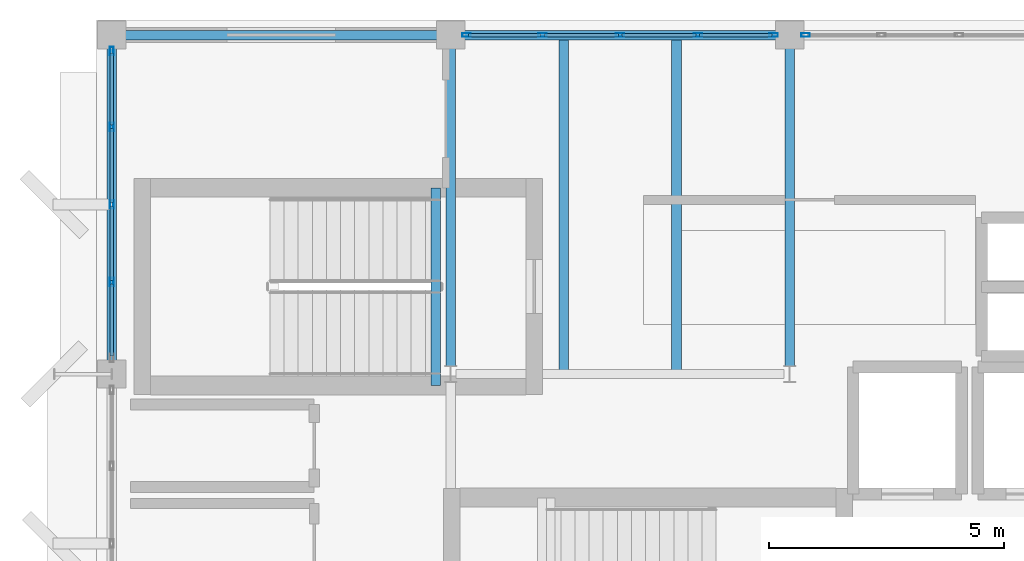
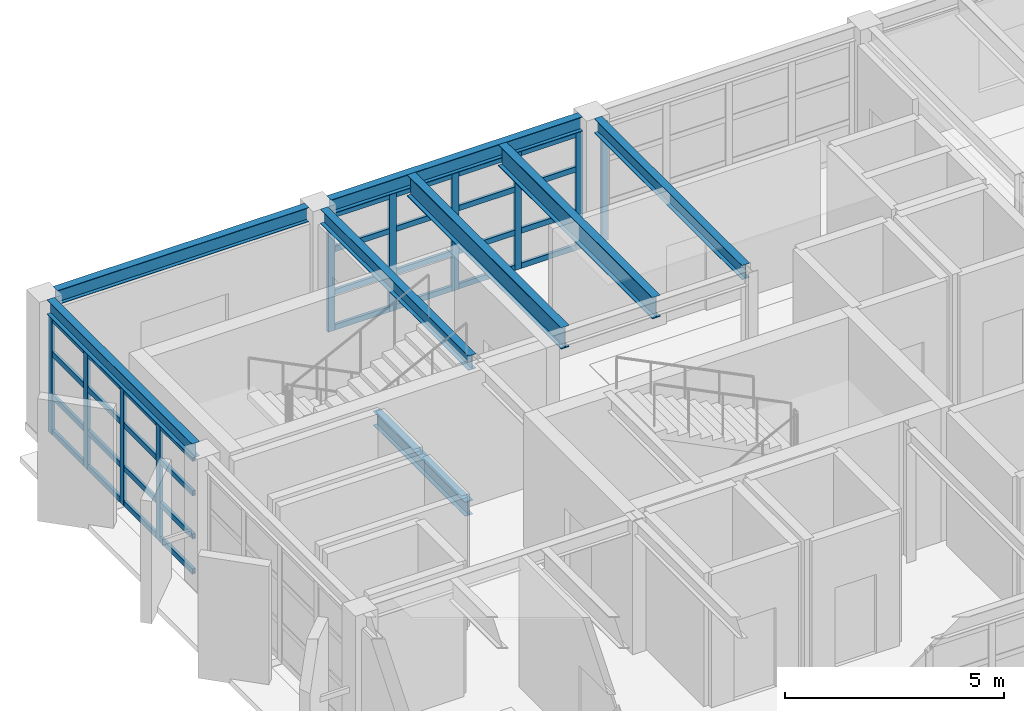
# One storey, part 7 of 15: 42 members, 8 beams, 3 elements without a shape of their own.
"""IFC4 building model written with IfcOpenShell, lengths in metres."""

from ifc_helpers import new_model, si_unit, direction, frame, origin, origin_2d, place, context, subcontext, project, spatial, hollow_rectangle, i_section, extrude, material, layer, layer_set, material_profile, profile_set, type_object, element, aggregate, save


model = new_model("IFC4")

# Units and contexts
model_context = context("Model", 3, precision=1e-05, world=origin(), true_north=direction((0.0, 1.0)))
body_context = subcontext(model_context, "Body", "Model", "MODEL_VIEW")
ifc_project = project(units=[si_unit("LENGTHUNIT", "METRE"), si_unit("AREAUNIT", "SQUARE_METRE"), si_unit("VOLUMEUNIT", "CUBIC_METRE"), si_unit("PLANEANGLEUNIT", "RADIAN"), si_unit("MASSUNIT", "GRAM", prefix="KILO")], contexts=[model_context])

# Site, building, storey
site_placement = place(None, origin())
site = spatial("IfcSite", under=ifc_project, at=site_placement, CompositionType="ELEMENT")
building_placement = place(site_placement, origin())
building = spatial("IfcBuilding", under=site, at=building_placement, Name="Kandorven Conservatory and Botanical Research Centre", CompositionType="ELEMENT")
storey_placement = place(building_placement, frame((0.0, 0.0, 52.199951171875)))
storey = spatial("IfcBuildingStorey", under=building, at=storey_placement, Name="L13", CompositionType="ELEMENT", Elevation=52.199951171875)

# Beams
ifc_material_1 = material(Name="Steel S355 (IS 2062 E350)", Category="steel")
ifc_material_profile_1 = material_profile(ifc_material_1, i_section(OverallWidth=0.199951171875, OverallDepth=0.39990234375, WebThickness=0.008544921875, FlangeThickness=0.012939453125, at=origin_2d()))
ifc_profile_set_1 = profile_set([ifc_material_profile_1], Name="Steel S355 (IS 2062 E350)")
beam_type_1 = type_object("IfcBeamType", Name="Beam_FG-03", PredefinedType="USERDEFINED", material=ifc_profile_set_1)
beam_1_placement = place(storey_placement, frame((6.2900390625, 27.60009765625, 3.505126953125), z_axis=(1.0, 0.0, 0.0), x_axis=(0.0, 1.0, 0.0)))
element("IfcBeam", 1, at=beam_1_placement, inside=storey, type_object=beam_type_1, Name="Primary girder FG-03 TWR L13", ObjectType="GIRDER", PredefinedType="USERDEFINED", context=body_context, shape_type="SweptSolid", body=[
    extrude(i_section(OverallWidth=0.199951171875, OverallDepth=0.39990234375, WebThickness=0.008544921875, FlangeThickness=0.012939453125, at=origin_2d()), origin(), (0.0, 0.0, 1.0), 6.619873046875),
])
for number, where, z_axis, x_axis, name in (
    (2, (13.489990234375, 27.60009765625, 3.505126953125), (1.0, 0.0, 0.0), (0.0, 1.0, 0.0), "Primary girder FG-03 TWR L13"),
    (3, (6.0, 20.68994140625, 3.505126953125), (0.0, 1.0, 0.0), (-1.0, 0.0, 0.0), "Primary girder FG-03 TWR L13"),
):
    element("IfcBeam", number, at=place(storey_placement, frame(where, z_axis=z_axis, x_axis=x_axis)), inside=storey, type_object=beam_type_1, Name=name, ObjectType="GIRDER", PredefinedType="USERDEFINED", context=body_context, shape_type="SweptSolid", body=[
        extrude(i_section(OverallWidth=0.199951171875, OverallDepth=0.39990234375, WebThickness=0.008544921875, FlangeThickness=0.012939453125, at=origin_2d()), origin(), (0.0, 0.0, 1.0), 6.6201171875),
    ])
for number, where, z_axis, x_axis, name in (
    (4, (13.199951171875, 20.56494140625, 3.505126953125), (0.0, 1.0, 0.0), (-1.0, 0.0, 0.0), "Primary girder FG-03 TWR L13"),
    (5, (20.39990234375, 20.56494140625, 3.505126953125), (0.0, 1.0, 0.0), (-1.0, 0.0, 0.0), "Primary girder FG-03 TWR L13"),
):
    element("IfcBeam", number, at=place(storey_placement, frame(where, z_axis=z_axis, x_axis=x_axis)), inside=storey, type_object=beam_type_1, Name=name, ObjectType="GIRDER", PredefinedType="USERDEFINED", context=body_context, shape_type="SweptSolid", body=[
        extrude(i_section(OverallWidth=0.199951171875, OverallDepth=0.39990234375, WebThickness=0.008544921875, FlangeThickness=0.012939453125, at=origin_2d()), origin(), (0.0, 0.0, 1.0), 6.7451171875),
    ])
beam_2_placement = place(storey_placement, frame((12.8798828125, 24.35009765625, -0.199951171875), z_axis=(0.0, -1.0, 0.0), x_axis=(1.0, 0.0, 0.0)))
element("IfcBeam", 6, at=beam_2_placement, inside=storey, type_object=beam_type_1, Name="Stair well bottom trimmer girder FG-03 ST-T2 L13", ObjectType="GIRDER", PredefinedType="USERDEFINED", context=body_context, shape_type="SweptSolid", body=[
    extrude(i_section(OverallWidth=0.199951171875, OverallDepth=0.39990234375, WebThickness=0.008544921875, FlangeThickness=0.012939453125, at=origin_2d()), origin(), (0.0, 0.0, 1.0), 4.190185546875),
])
ifc_material_2 = material(Name="Steel S355 (IS 2062 E350)", Category="steel")
ifc_material_profile_2 = material_profile(ifc_material_2, i_section(OverallWidth=0.2099609375, OverallDepth=0.60009765625, WebThickness=0.011962890625, FlangeThickness=0.020751953125, at=origin_2d()))
ifc_profile_set_2 = profile_set([ifc_material_profile_2], Name="Steel S355 (IS 2062 E350)")
beam_type_2 = type_object("IfcBeamType", Name="Beam_SB-01", PredefinedType="BEAM", material=ifc_profile_set_2)
for number, where, z_axis, x_axis, name in (
    (7, (15.60009765625, 20.485107421875, 3.405029296875), (0.0, 1.0, 0.0), (-1.0, 0.0, 0.0), "Composite secondary beam SB-01 TWR L13"),
    (8, (18.0, 20.485107421875, 3.405029296875), (0.0, 1.0, 0.0), (-1.0, 0.0, 0.0), "Composite secondary beam SB-01 TWR L13"),
):
    element("IfcBeam", number, at=place(storey_placement, frame(where, z_axis=z_axis, x_axis=x_axis)), inside=storey, type_object=beam_type_2, Name=name, PredefinedType="BEAM", context=body_context, shape_type="SweptSolid", body=[
        extrude(i_section(OverallWidth=0.2099609375, OverallDepth=0.60009765625, WebThickness=0.011962890625, FlangeThickness=0.020751953125, at=origin_2d()), origin(), (0.0, 0.0, 1.0), 7.02978515625),
    ])

# Curtain wall, members
ifc_material_3 = material(Name="Bronze anodised thermally broken aluminium", Category="aluminium")
ifc_layer = layer(ifc_material_3, 0.179931640625)
ifc_layer_set = layer_set([ifc_layer], Name="Bronze anodised thermally broken aluminium")
curtain_wall_type = type_object("IfcCurtainWallType", Name="CW_Unitised", PredefinedType="USERDEFINED", material=ifc_layer_set)
curtain_wall_1_placement = place(storey_placement, origin())
curtain_wall_1 = element("IfcCurtainWall", 9, at=curtain_wall_1_placement, inside=storey, type_object=curtain_wall_type, Name="Tower laboratory curtain wall CW-TWR-N-L13-2", ObjectType="UNITISED GLAZING", PredefinedType="USERDEFINED")
ifc_material_4 = material(Name="Bronze anodised thermally broken aluminium", Category="aluminium")
ifc_material_profile_3 = material_profile(ifc_material_4, hollow_rectangle(XDim=0.080078125, YDim=0.179931640625, WallThickness=0.006103515625, at=origin_2d()))
ifc_profile_set_3 = profile_set([ifc_material_profile_3], Name="Bronze anodised thermally broken aluminium")
member_type_1 = type_object("IfcMemberType", Name="CW_Mullion", PredefinedType="MULLION", material=ifc_profile_set_3)
member_1_placement = place(storey_placement, frame((13.5400390625, 27.60009765625, 0.0), z_axis=(0.0, 0.0, 1.0), x_axis=(0.0, 1.0, 0.0)))
member_1 = element("IfcMember", 10, at=member_1_placement, type_object=member_type_1, Name="CW-01 mullion 1", PredefinedType="MULLION", context=body_context, shape_type="SweptSolid", body=[
    extrude(hollow_rectangle(XDim=0.080078125, YDim=0.179931640625, WallThickness=0.006103515625, at=origin_2d()), origin(), (0.0, 0.0, 1.0), 3.28515625),
])
member_2_placement = place(storey_placement, frame((15.14990234375, 27.60009765625, 0.0), z_axis=(0.0, 0.0, 1.0), x_axis=(0.0, 1.0, 0.0)))
member_2 = element("IfcMember", 11, at=member_2_placement, type_object=member_type_1, Name="CW-01 mullion 2", PredefinedType="MULLION", context=body_context, shape_type="SweptSolid", body=[
    extrude(hollow_rectangle(XDim=0.080078125, YDim=0.179931640625, WallThickness=0.006103515625, at=origin_2d()), origin(), (0.0, 0.0, 1.0), 3.28515625),
])
member_3_placement = place(storey_placement, frame((16.800048828125, 27.60009765625, 0.0), z_axis=(0.0, 0.0, 1.0), x_axis=(0.0, 1.0, 0.0)))
member_3 = element("IfcMember", 12, at=member_3_placement, type_object=member_type_1, Name="CW-01 mullion 3", PredefinedType="MULLION", context=body_context, shape_type="SweptSolid", body=[
    extrude(hollow_rectangle(XDim=0.080078125, YDim=0.179931640625, WallThickness=0.006103515625, at=origin_2d()), origin(), (0.0, 0.0, 1.0), 3.28515625),
])
member_4_placement = place(storey_placement, frame((18.449951171875, 27.60009765625, 0.0), z_axis=(0.0, 0.0, 1.0), x_axis=(0.0, 1.0, 0.0)))
member_4 = element("IfcMember", 13, at=member_4_placement, type_object=member_type_1, Name="CW-01 mullion 4", PredefinedType="MULLION", context=body_context, shape_type="SweptSolid", body=[
    extrude(hollow_rectangle(XDim=0.080078125, YDim=0.179931640625, WallThickness=0.006103515625, at=origin_2d()), origin(), (0.0, 0.0, 1.0), 3.28515625),
])
member_5_placement = place(storey_placement, frame((20.06005859375, 27.60009765625, 0.0), z_axis=(0.0, 0.0, 1.0), x_axis=(0.0, 1.0, 0.0)))
member_5 = element("IfcMember", 14, at=member_5_placement, type_object=member_type_1, Name="CW-01 mullion 5", PredefinedType="MULLION", context=body_context, shape_type="SweptSolid", body=[
    extrude(hollow_rectangle(XDim=0.080078125, YDim=0.179931640625, WallThickness=0.006103515625, at=origin_2d()), origin(), (0.0, 0.0, 1.0), 3.28515625),
])

# Curtain wall, member
curtain_wall_2_placement = place(storey_placement, origin())
curtain_wall_2 = element("IfcCurtainWall", 15, at=curtain_wall_2_placement, inside=storey, type_object=curtain_wall_type, Name="Tower laboratory curtain wall CW-TWR-N-L13-3", ObjectType="UNITISED GLAZING", PredefinedType="USERDEFINED")
member_6_placement = place(storey_placement, frame((20.739990234375, 27.60009765625, 0.0), z_axis=(0.0, 0.0, 1.0), x_axis=(0.0, 1.0, 0.0)))
member_6 = element("IfcMember", 16, at=member_6_placement, type_object=member_type_1, Name="CW-01 mullion 1", PredefinedType="MULLION", context=body_context, shape_type="SweptSolid", body=[
    extrude(hollow_rectangle(XDim=0.080078125, YDim=0.179931640625, WallThickness=0.006103515625, at=origin_2d()), origin(), (0.0, 0.0, 1.0), 3.28515625),
])
aggregate(curtain_wall_2, [member_6])

# Curtain wall, members
curtain_wall_3_placement = place(storey_placement, origin())
curtain_wall_3 = element("IfcCurtainWall", 17, at=curtain_wall_3_placement, inside=storey, type_object=curtain_wall_type, Name="Tower laboratory curtain wall CW-TWR-W-L13-3", ObjectType="UNITISED GLAZING", PredefinedType="USERDEFINED")
member_7_placement = place(storey_placement, frame((6.0, 22.35009765625, 0.0), z_axis=(0.0, 0.0, 1.0), x_axis=(-1.0, 0.0, 0.0)))
member_7 = element("IfcMember", 18, at=member_7_placement, type_object=member_type_1, Name="CW-01 mullion 2", PredefinedType="MULLION", context=body_context, shape_type="SweptSolid", body=[
    extrude(hollow_rectangle(XDim=0.080078125, YDim=0.179931640625, WallThickness=0.006103515625, at=origin_2d()), origin(), (0.0, 0.0, 1.0), 3.28515625),
])
member_8_placement = place(storey_placement, frame((6.0, 24.0, 0.0), z_axis=(0.0, 0.0, 1.0), x_axis=(-1.0, 0.0, 0.0)))
member_8 = element("IfcMember", 19, at=member_8_placement, type_object=member_type_1, Name="CW-01 mullion 3", PredefinedType="MULLION", context=body_context, shape_type="SweptSolid", body=[
    extrude(hollow_rectangle(XDim=0.080078125, YDim=0.179931640625, WallThickness=0.006103515625, at=origin_2d()), origin(), (0.0, 0.0, 1.0), 3.28515625),
])
member_9_placement = place(storey_placement, frame((6.0, 25.64990234375, 0.0), z_axis=(0.0, 0.0, 1.0), x_axis=(-1.0, 0.0, 0.0)))
member_9 = element("IfcMember", 20, at=member_9_placement, type_object=member_type_1, Name="CW-01 mullion 4", PredefinedType="MULLION", context=body_context, shape_type="SweptSolid", body=[
    extrude(hollow_rectangle(XDim=0.080078125, YDim=0.179931640625, WallThickness=0.006103515625, at=origin_2d()), origin(), (0.0, 0.0, 1.0), 3.28515625),
])
member_10_placement = place(storey_placement, frame((6.0, 27.260009765625, 0.0), z_axis=(0.0, 0.0, 1.0), x_axis=(-1.0, 0.0, 0.0)))
member_10 = element("IfcMember", 21, at=member_10_placement, type_object=member_type_1, Name="CW-01 mullion 5", PredefinedType="MULLION", context=body_context, shape_type="SweptSolid", body=[
    extrude(hollow_rectangle(XDim=0.080078125, YDim=0.179931640625, WallThickness=0.006103515625, at=origin_2d()), origin(), (0.0, 0.0, 1.0), 3.28515625),
])

# Member
ifc_material_5 = material(Name="Bronze anodised thermally broken aluminium", Category="aluminium")
ifc_material_profile_4 = material_profile(ifc_material_5, hollow_rectangle(XDim=0.074951171875, YDim=0.14990234375, WallThickness=0.006103515625, at=origin_2d()))
ifc_profile_set_4 = profile_set([ifc_material_profile_4], Name="Bronze anodised thermally broken aluminium")
member_type_2 = type_object("IfcMemberType", Name="CW_Transom", PredefinedType="USERDEFINED", material=ifc_profile_set_4)
member_11_placement = place(storey_placement, frame((13.580078125, 27.60009765625, 0.074951171875), z_axis=(1.0, 0.0, 0.0), x_axis=(0.0, 1.0, 0.0)))
member_11 = element("IfcMember", 22, at=member_11_placement, type_object=member_type_2, Name="CW-01 transom 1.1", ObjectType="TRANSOM", PredefinedType="USERDEFINED", context=body_context, shape_type="SweptSolid", body=[
    extrude(hollow_rectangle(XDim=0.074951171875, YDim=0.14990234375, WallThickness=0.006103515625, at=origin_2d()), origin(), (0.0, 0.0, 1.0), 1.530029296875),
])

member_12_placement = place(storey_placement, frame((13.580078125, 27.60009765625, 1.050048828125), z_axis=(1.0, 0.0, 0.0), x_axis=(0.0, 1.0, 0.0)))
member_12 = element("IfcMember", 23, at=member_12_placement, type_object=member_type_2, Name="CW-01 transom 1.2", ObjectType="TRANSOM", PredefinedType="USERDEFINED", context=body_context, shape_type="SweptSolid", body=[
    extrude(hollow_rectangle(XDim=0.074951171875, YDim=0.14990234375, WallThickness=0.006103515625, at=origin_2d()), origin(), (0.0, 0.0, 1.0), 1.530029296875),
])

member_13_placement = place(storey_placement, frame((13.580078125, 27.60009765625, 2.25), z_axis=(1.0, 0.0, 0.0), x_axis=(0.0, 1.0, 0.0)))
member_13 = element("IfcMember", 24, at=member_13_placement, type_object=member_type_2, Name="CW-01 transom 1.3", ObjectType="TRANSOM", PredefinedType="USERDEFINED", context=body_context, shape_type="SweptSolid", body=[
    extrude(hollow_rectangle(XDim=0.074951171875, YDim=0.14990234375, WallThickness=0.006103515625, at=origin_2d()), origin(), (0.0, 0.0, 1.0), 1.530029296875),
])

member_14_placement = place(storey_placement, frame((13.580078125, 27.60009765625, 3.2099609375), z_axis=(1.0, 0.0, 0.0), x_axis=(0.0, 1.0, 0.0)))
member_14 = element("IfcMember", 25, at=member_14_placement, type_object=member_type_2, Name="CW-01 transom 1.4", ObjectType="TRANSOM", PredefinedType="USERDEFINED", context=body_context, shape_type="SweptSolid", body=[
    extrude(hollow_rectangle(XDim=0.074951171875, YDim=0.14990234375, WallThickness=0.006103515625, at=origin_2d()), origin(), (0.0, 0.0, 1.0), 1.530029296875),
])

member_15_placement = place(storey_placement, frame((15.18994140625, 27.60009765625, 0.074951171875), z_axis=(1.0, 0.0, 0.0), x_axis=(0.0, 1.0, 0.0)))
member_15 = element("IfcMember", 26, at=member_15_placement, type_object=member_type_2, Name="CW-01 transom 2.1", ObjectType="TRANSOM", PredefinedType="USERDEFINED", context=body_context, shape_type="SweptSolid", body=[
    extrude(hollow_rectangle(XDim=0.074951171875, YDim=0.14990234375, WallThickness=0.006103515625, at=origin_2d()), origin(), (0.0, 0.0, 1.0), 1.570068359375),
])

member_16_placement = place(storey_placement, frame((15.18994140625, 27.60009765625, 1.050048828125), z_axis=(1.0, 0.0, 0.0), x_axis=(0.0, 1.0, 0.0)))
member_16 = element("IfcMember", 27, at=member_16_placement, type_object=member_type_2, Name="CW-01 transom 2.2", ObjectType="TRANSOM", PredefinedType="USERDEFINED", context=body_context, shape_type="SweptSolid", body=[
    extrude(hollow_rectangle(XDim=0.074951171875, YDim=0.14990234375, WallThickness=0.006103515625, at=origin_2d()), origin(), (0.0, 0.0, 1.0), 1.570068359375),
])

member_17_placement = place(storey_placement, frame((15.18994140625, 27.60009765625, 2.25), z_axis=(1.0, 0.0, 0.0), x_axis=(0.0, 1.0, 0.0)))
member_17 = element("IfcMember", 28, at=member_17_placement, type_object=member_type_2, Name="CW-01 transom 2.3", ObjectType="TRANSOM", PredefinedType="USERDEFINED", context=body_context, shape_type="SweptSolid", body=[
    extrude(hollow_rectangle(XDim=0.074951171875, YDim=0.14990234375, WallThickness=0.006103515625, at=origin_2d()), origin(), (0.0, 0.0, 1.0), 1.570068359375),
])

member_18_placement = place(storey_placement, frame((15.18994140625, 27.60009765625, 3.2099609375), z_axis=(1.0, 0.0, 0.0), x_axis=(0.0, 1.0, 0.0)))
member_18 = element("IfcMember", 29, at=member_18_placement, type_object=member_type_2, Name="CW-01 transom 2.4", ObjectType="TRANSOM", PredefinedType="USERDEFINED", context=body_context, shape_type="SweptSolid", body=[
    extrude(hollow_rectangle(XDim=0.074951171875, YDim=0.14990234375, WallThickness=0.006103515625, at=origin_2d()), origin(), (0.0, 0.0, 1.0), 1.570068359375),
])

member_19_placement = place(storey_placement, frame((16.840087890625, 27.60009765625, 0.074951171875), z_axis=(1.0, 0.0, 0.0), x_axis=(0.0, 1.0, 0.0)))
member_19 = element("IfcMember", 30, at=member_19_placement, type_object=member_type_2, Name="CW-01 transom 3.1", ObjectType="TRANSOM", PredefinedType="USERDEFINED", context=body_context, shape_type="SweptSolid", body=[
    extrude(hollow_rectangle(XDim=0.074951171875, YDim=0.14990234375, WallThickness=0.006103515625, at=origin_2d()), origin(), (0.0, 0.0, 1.0), 1.56982421875),
])

member_20_placement = place(storey_placement, frame((16.840087890625, 27.60009765625, 1.050048828125), z_axis=(1.0, 0.0, 0.0), x_axis=(0.0, 1.0, 0.0)))
member_20 = element("IfcMember", 31, at=member_20_placement, type_object=member_type_2, Name="CW-01 transom 3.2", ObjectType="TRANSOM", PredefinedType="USERDEFINED", context=body_context, shape_type="SweptSolid", body=[
    extrude(hollow_rectangle(XDim=0.074951171875, YDim=0.14990234375, WallThickness=0.006103515625, at=origin_2d()), origin(), (0.0, 0.0, 1.0), 1.56982421875),
])

member_21_placement = place(storey_placement, frame((16.840087890625, 27.60009765625, 2.25), z_axis=(1.0, 0.0, 0.0), x_axis=(0.0, 1.0, 0.0)))
member_21 = element("IfcMember", 32, at=member_21_placement, type_object=member_type_2, Name="CW-01 transom 3.3", ObjectType="TRANSOM", PredefinedType="USERDEFINED", context=body_context, shape_type="SweptSolid", body=[
    extrude(hollow_rectangle(XDim=0.074951171875, YDim=0.14990234375, WallThickness=0.006103515625, at=origin_2d()), origin(), (0.0, 0.0, 1.0), 1.56982421875),
])

member_22_placement = place(storey_placement, frame((16.840087890625, 27.60009765625, 3.2099609375), z_axis=(1.0, 0.0, 0.0), x_axis=(0.0, 1.0, 0.0)))
member_22 = element("IfcMember", 33, at=member_22_placement, type_object=member_type_2, Name="CW-01 transom 3.4", ObjectType="TRANSOM", PredefinedType="USERDEFINED", context=body_context, shape_type="SweptSolid", body=[
    extrude(hollow_rectangle(XDim=0.074951171875, YDim=0.14990234375, WallThickness=0.006103515625, at=origin_2d()), origin(), (0.0, 0.0, 1.0), 1.56982421875),
])

member_23_placement = place(storey_placement, frame((18.489990234375, 27.60009765625, 0.074951171875), z_axis=(1.0, 0.0, 0.0), x_axis=(0.0, 1.0, 0.0)))
member_23 = element("IfcMember", 34, at=member_23_placement, type_object=member_type_2, Name="CW-01 transom 4.1", ObjectType="TRANSOM", PredefinedType="USERDEFINED", context=body_context, shape_type="SweptSolid", body=[
    extrude(hollow_rectangle(XDim=0.074951171875, YDim=0.14990234375, WallThickness=0.006103515625, at=origin_2d()), origin(), (0.0, 0.0, 1.0), 1.530029296875),
])

member_24_placement = place(storey_placement, frame((18.489990234375, 27.60009765625, 1.050048828125), z_axis=(1.0, 0.0, 0.0), x_axis=(0.0, 1.0, 0.0)))
member_24 = element("IfcMember", 35, at=member_24_placement, type_object=member_type_2, Name="CW-01 transom 4.2", ObjectType="TRANSOM", PredefinedType="USERDEFINED", context=body_context, shape_type="SweptSolid", body=[
    extrude(hollow_rectangle(XDim=0.074951171875, YDim=0.14990234375, WallThickness=0.006103515625, at=origin_2d()), origin(), (0.0, 0.0, 1.0), 1.530029296875),
])

member_25_placement = place(storey_placement, frame((18.489990234375, 27.60009765625, 2.25), z_axis=(1.0, 0.0, 0.0), x_axis=(0.0, 1.0, 0.0)))
member_25 = element("IfcMember", 36, at=member_25_placement, type_object=member_type_2, Name="CW-01 transom 4.3", ObjectType="TRANSOM", PredefinedType="USERDEFINED", context=body_context, shape_type="SweptSolid", body=[
    extrude(hollow_rectangle(XDim=0.074951171875, YDim=0.14990234375, WallThickness=0.006103515625, at=origin_2d()), origin(), (0.0, 0.0, 1.0), 1.530029296875),
])

member_26_placement = place(storey_placement, frame((18.489990234375, 27.60009765625, 3.2099609375), z_axis=(1.0, 0.0, 0.0), x_axis=(0.0, 1.0, 0.0)))
member_26 = element("IfcMember", 37, at=member_26_placement, type_object=member_type_2, Name="CW-01 transom 4.4", ObjectType="TRANSOM", PredefinedType="USERDEFINED", context=body_context, shape_type="SweptSolid", body=[
    extrude(hollow_rectangle(XDim=0.074951171875, YDim=0.14990234375, WallThickness=0.006103515625, at=origin_2d()), origin(), (0.0, 0.0, 1.0), 1.530029296875),
])

aggregate(curtain_wall_1, [member_1, member_2, member_3, member_4, member_5, member_11, member_12, member_13, member_14, member_15, member_16, member_17, member_18, member_19, member_20, member_21, member_22, member_23, member_24, member_25, member_26])

member_27_placement = place(storey_placement, frame((6.0, 20.780029296875, 0.074951171875), z_axis=(0.0, 1.0, 0.0), x_axis=(-1.0, 0.0, 0.0)))
member_27 = element("IfcMember", 38, at=member_27_placement, type_object=member_type_2, Name="CW-01 transom 1.1", ObjectType="TRANSOM", PredefinedType="USERDEFINED", context=body_context, shape_type="SweptSolid", body=[
    extrude(hollow_rectangle(XDim=0.074951171875, YDim=0.14990234375, WallThickness=0.006103515625, at=origin_2d()), origin(), (0.0, 0.0, 1.0), 1.530029296875),
])

member_28_placement = place(storey_placement, frame((6.0, 20.780029296875, 1.050048828125), z_axis=(0.0, 1.0, 0.0), x_axis=(-1.0, 0.0, 0.0)))
member_28 = element("IfcMember", 39, at=member_28_placement, type_object=member_type_2, Name="CW-01 transom 1.2", ObjectType="TRANSOM", PredefinedType="USERDEFINED", context=body_context, shape_type="SweptSolid", body=[
    extrude(hollow_rectangle(XDim=0.074951171875, YDim=0.14990234375, WallThickness=0.006103515625, at=origin_2d()), origin(), (0.0, 0.0, 1.0), 1.530029296875),
])

member_29_placement = place(storey_placement, frame((6.0, 20.780029296875, 2.25), z_axis=(0.0, 1.0, 0.0), x_axis=(-1.0, 0.0, 0.0)))
member_29 = element("IfcMember", 40, at=member_29_placement, type_object=member_type_2, Name="CW-01 transom 1.3", ObjectType="TRANSOM", PredefinedType="USERDEFINED", context=body_context, shape_type="SweptSolid", body=[
    extrude(hollow_rectangle(XDim=0.074951171875, YDim=0.14990234375, WallThickness=0.006103515625, at=origin_2d()), origin(), (0.0, 0.0, 1.0), 1.530029296875),
])

member_30_placement = place(storey_placement, frame((6.0, 20.780029296875, 3.2099609375), z_axis=(0.0, 1.0, 0.0), x_axis=(-1.0, 0.0, 0.0)))
member_30 = element("IfcMember", 41, at=member_30_placement, type_object=member_type_2, Name="CW-01 transom 1.4", ObjectType="TRANSOM", PredefinedType="USERDEFINED", context=body_context, shape_type="SweptSolid", body=[
    extrude(hollow_rectangle(XDim=0.074951171875, YDim=0.14990234375, WallThickness=0.006103515625, at=origin_2d()), origin(), (0.0, 0.0, 1.0), 1.530029296875),
])

member_31_placement = place(storey_placement, frame((6.0, 22.389892578125, 0.074951171875), z_axis=(0.0, 1.0, 0.0), x_axis=(-1.0, 0.0, 0.0)))
member_31 = element("IfcMember", 42, at=member_31_placement, type_object=member_type_2, Name="CW-01 transom 2.1", ObjectType="TRANSOM", PredefinedType="USERDEFINED", context=body_context, shape_type="SweptSolid", body=[
    extrude(hollow_rectangle(XDim=0.074951171875, YDim=0.14990234375, WallThickness=0.006103515625, at=origin_2d()), origin(), (0.0, 0.0, 1.0), 1.570068359375),
])

member_32_placement = place(storey_placement, frame((6.0, 22.389892578125, 1.050048828125), z_axis=(0.0, 1.0, 0.0), x_axis=(-1.0, 0.0, 0.0)))
member_32 = element("IfcMember", 43, at=member_32_placement, type_object=member_type_2, Name="CW-01 transom 2.2", ObjectType="TRANSOM", PredefinedType="USERDEFINED", context=body_context, shape_type="SweptSolid", body=[
    extrude(hollow_rectangle(XDim=0.074951171875, YDim=0.14990234375, WallThickness=0.006103515625, at=origin_2d()), origin(), (0.0, 0.0, 1.0), 1.570068359375),
])

member_33_placement = place(storey_placement, frame((6.0, 22.389892578125, 2.25), z_axis=(0.0, 1.0, 0.0), x_axis=(-1.0, 0.0, 0.0)))
member_33 = element("IfcMember", 44, at=member_33_placement, type_object=member_type_2, Name="CW-01 transom 2.3", ObjectType="TRANSOM", PredefinedType="USERDEFINED", context=body_context, shape_type="SweptSolid", body=[
    extrude(hollow_rectangle(XDim=0.074951171875, YDim=0.14990234375, WallThickness=0.006103515625, at=origin_2d()), origin(), (0.0, 0.0, 1.0), 1.570068359375),
])

member_34_placement = place(storey_placement, frame((6.0, 22.389892578125, 3.2099609375), z_axis=(0.0, 1.0, 0.0), x_axis=(-1.0, 0.0, 0.0)))
member_34 = element("IfcMember", 45, at=member_34_placement, type_object=member_type_2, Name="CW-01 transom 2.4", ObjectType="TRANSOM", PredefinedType="USERDEFINED", context=body_context, shape_type="SweptSolid", body=[
    extrude(hollow_rectangle(XDim=0.074951171875, YDim=0.14990234375, WallThickness=0.006103515625, at=origin_2d()), origin(), (0.0, 0.0, 1.0), 1.570068359375),
])

member_35_placement = place(storey_placement, frame((6.0, 24.0400390625, 0.074951171875), z_axis=(0.0, 1.0, 0.0), x_axis=(-1.0, 0.0, 0.0)))
member_35 = element("IfcMember", 46, at=member_35_placement, type_object=member_type_2, Name="CW-01 transom 3.1", ObjectType="TRANSOM", PredefinedType="USERDEFINED", context=body_context, shape_type="SweptSolid", body=[
    extrude(hollow_rectangle(XDim=0.074951171875, YDim=0.14990234375, WallThickness=0.006103515625, at=origin_2d()), origin(), (0.0, 0.0, 1.0), 1.570068359375),
])

member_36_placement = place(storey_placement, frame((6.0, 24.0400390625, 1.050048828125), z_axis=(0.0, 1.0, 0.0), x_axis=(-1.0, 0.0, 0.0)))
member_36 = element("IfcMember", 47, at=member_36_placement, type_object=member_type_2, Name="CW-01 transom 3.2", ObjectType="TRANSOM", PredefinedType="USERDEFINED", context=body_context, shape_type="SweptSolid", body=[
    extrude(hollow_rectangle(XDim=0.074951171875, YDim=0.14990234375, WallThickness=0.006103515625, at=origin_2d()), origin(), (0.0, 0.0, 1.0), 1.570068359375),
])

member_37_placement = place(storey_placement, frame((6.0, 24.0400390625, 2.25), z_axis=(0.0, 1.0, 0.0), x_axis=(-1.0, 0.0, 0.0)))
member_37 = element("IfcMember", 48, at=member_37_placement, type_object=member_type_2, Name="CW-01 transom 3.3", ObjectType="TRANSOM", PredefinedType="USERDEFINED", context=body_context, shape_type="SweptSolid", body=[
    extrude(hollow_rectangle(XDim=0.074951171875, YDim=0.14990234375, WallThickness=0.006103515625, at=origin_2d()), origin(), (0.0, 0.0, 1.0), 1.570068359375),
])

member_38_placement = place(storey_placement, frame((6.0, 24.0400390625, 3.2099609375), z_axis=(0.0, 1.0, 0.0), x_axis=(-1.0, 0.0, 0.0)))
member_38 = element("IfcMember", 49, at=member_38_placement, type_object=member_type_2, Name="CW-01 transom 3.4", ObjectType="TRANSOM", PredefinedType="USERDEFINED", context=body_context, shape_type="SweptSolid", body=[
    extrude(hollow_rectangle(XDim=0.074951171875, YDim=0.14990234375, WallThickness=0.006103515625, at=origin_2d()), origin(), (0.0, 0.0, 1.0), 1.570068359375),
])

member_39_placement = place(storey_placement, frame((6.0, 25.68994140625, 0.074951171875), z_axis=(0.0, 1.0, 0.0), x_axis=(-1.0, 0.0, 0.0)))
member_39 = element("IfcMember", 50, at=member_39_placement, type_object=member_type_2, Name="CW-01 transom 4.1", ObjectType="TRANSOM", PredefinedType="USERDEFINED", context=body_context, shape_type="SweptSolid", body=[
    extrude(hollow_rectangle(XDim=0.074951171875, YDim=0.14990234375, WallThickness=0.006103515625, at=origin_2d()), origin(), (0.0, 0.0, 1.0), 1.530029296875),
])

member_40_placement = place(storey_placement, frame((6.0, 25.68994140625, 1.050048828125), z_axis=(0.0, 1.0, 0.0), x_axis=(-1.0, 0.0, 0.0)))
member_40 = element("IfcMember", 51, at=member_40_placement, type_object=member_type_2, Name="CW-01 transom 4.2", ObjectType="TRANSOM", PredefinedType="USERDEFINED", context=body_context, shape_type="SweptSolid", body=[
    extrude(hollow_rectangle(XDim=0.074951171875, YDim=0.14990234375, WallThickness=0.006103515625, at=origin_2d()), origin(), (0.0, 0.0, 1.0), 1.530029296875),
])

member_41_placement = place(storey_placement, frame((6.0, 25.68994140625, 2.25), z_axis=(0.0, 1.0, 0.0), x_axis=(-1.0, 0.0, 0.0)))
member_41 = element("IfcMember", 52, at=member_41_placement, type_object=member_type_2, Name="CW-01 transom 4.3", ObjectType="TRANSOM", PredefinedType="USERDEFINED", context=body_context, shape_type="SweptSolid", body=[
    extrude(hollow_rectangle(XDim=0.074951171875, YDim=0.14990234375, WallThickness=0.006103515625, at=origin_2d()), origin(), (0.0, 0.0, 1.0), 1.530029296875),
])

member_42_placement = place(storey_placement, frame((6.0, 25.68994140625, 3.2099609375), z_axis=(0.0, 1.0, 0.0), x_axis=(-1.0, 0.0, 0.0)))
member_42 = element("IfcMember", 53, at=member_42_placement, type_object=member_type_2, Name="CW-01 transom 4.4", ObjectType="TRANSOM", PredefinedType="USERDEFINED", context=body_context, shape_type="SweptSolid", body=[
    extrude(hollow_rectangle(XDim=0.074951171875, YDim=0.14990234375, WallThickness=0.006103515625, at=origin_2d()), origin(), (0.0, 0.0, 1.0), 1.530029296875),
])

aggregate(curtain_wall_3, [member_7, member_8, member_9, member_10, member_27, member_28, member_29, member_30, member_31, member_32, member_33, member_34, member_35, member_36, member_37, member_38, member_39, member_40, member_41, member_42])

save(model, "model.ifc")
